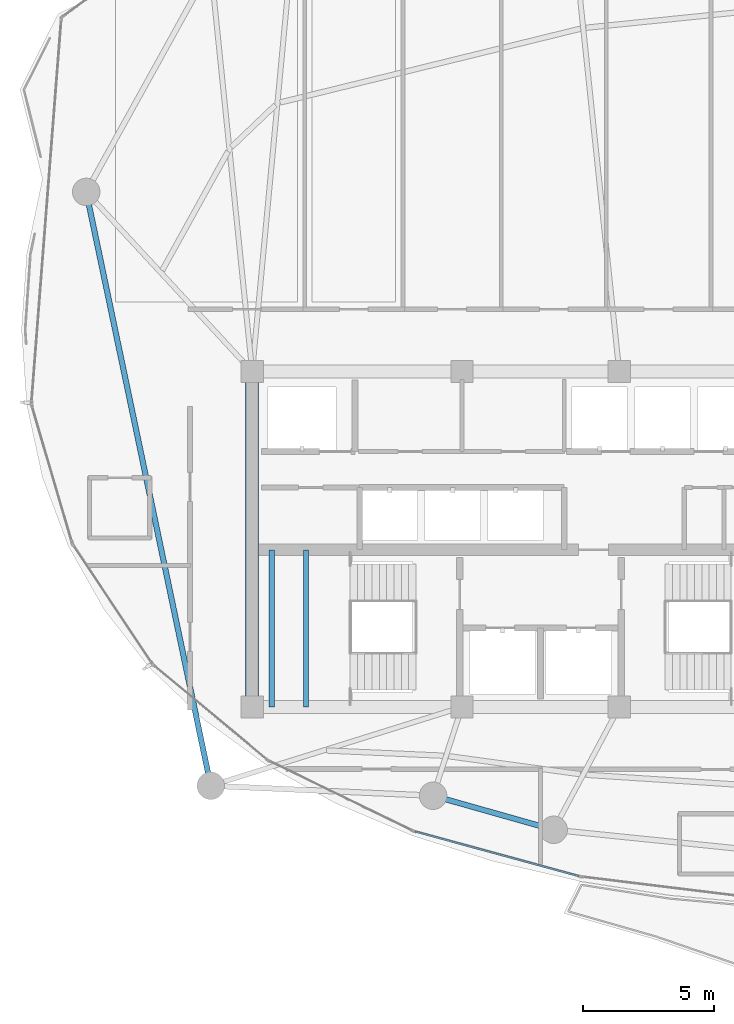
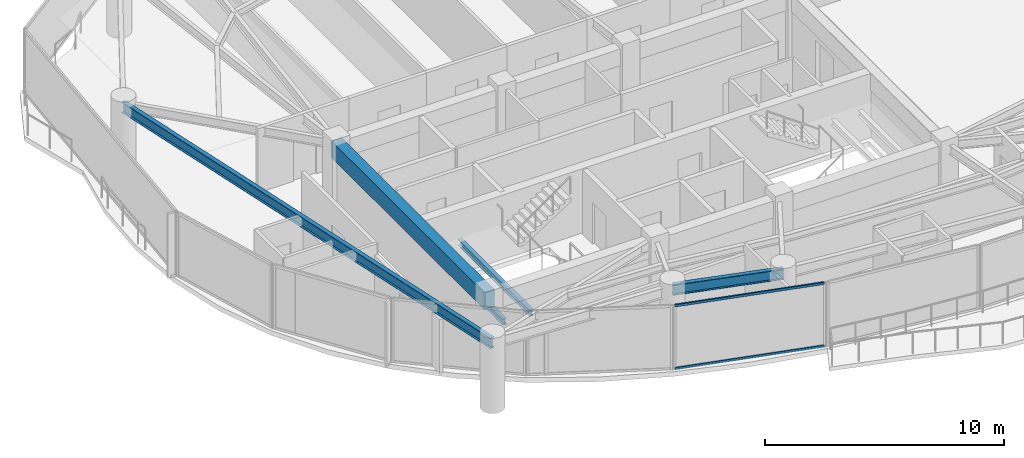
# One storey, part 4 of 31: 5 beams, 2 members, 1 element without a shape of its own.
"""IFC4 building model written with IfcOpenShell, lengths in metres."""

from ifc_helpers import new_model, si_unit, direction, frame, origin, origin_2d, place, context, subcontext, project, spatial, rectangle, hollow_rectangle, i_section, extrude, material, layer, layer_set, material_profile, profile_set, type_object, element, aggregate, save


model = new_model("IFC4")

# Units and contexts
model_context = context("Model", 3, precision=1e-05, world=origin(), true_north=direction((0.0, 1.0)))
body_context = subcontext(model_context, "Body", "Model", "MODEL_VIEW")
ifc_project = project(units=[si_unit("LENGTHUNIT", "METRE"), si_unit("AREAUNIT", "SQUARE_METRE"), si_unit("VOLUMEUNIT", "CUBIC_METRE"), si_unit("PLANEANGLEUNIT", "RADIAN"), si_unit("MASSUNIT", "GRAM", prefix="KILO")], contexts=[model_context])

# Site, building, storey
site_placement = place(None, origin())
site = spatial("IfcSite", under=ifc_project, at=site_placement, CompositionType="ELEMENT")
building_placement = place(site_placement, origin())
building = spatial("IfcBuilding", under=site, at=building_placement, Name="Kazevale Care Tower and Concert Hall", CompositionType="ELEMENT")
storey_placement = place(building_placement, frame((0.0, 0.0, 187.199951171875)))
storey = spatial("IfcBuildingStorey", under=building, at=storey_placement, Name="L49", CompositionType="ELEMENT", Elevation=187.199951171875)

# Curtain wall, members
ifc_material_1 = material(Name="Aluminium 6063-T6 and Low-E Glass", Category="aluminium")
ifc_layer = layer(ifc_material_1, 0.179931640625)
ifc_layer_set = layer_set([ifc_layer], Name="Aluminium 6063-T6 and Low-E Glass")
curtain_wall_type = type_object("IfcCurtainWallType", Name="Sheltered Concave Balcony Curtain Wall CW-5", PredefinedType="NOTDEFINED", material=ifc_layer_set)
curtain_wall_placement = place(storey_placement, origin())
curtain_wall = element("IfcCurtainWall", 1, at=curtain_wall_placement, inside=storey, type_object=curtain_wall_type, Name="cw:L49:f08", PredefinedType="NOTDEFINED")
ifc_material_2 = material(Name="Aluminium 6063-T6", Category="aluminium")
ifc_material_profile_1 = material_profile(ifc_material_2, hollow_rectangle(XDim=0.074951171875, YDim=0.1201171875, WallThickness=0.00390625, at=origin_2d()), Name="ALU75x120x4")
ifc_profile_set_1 = profile_set([ifc_material_profile_1], Name="Aluminium 6063-T6")
member_type = type_object("IfcMemberType", Name="CW-5 Transom ALU75x120x4", PredefinedType="USERDEFINED", material=ifc_profile_set_1)
member_1_placement = place(storey_placement, frame((34.458740234375, 17.15283203125, 0.03759765625), z_axis=(-0.964843890632, 0.262823641842, 0.0), x_axis=(-0.262823641842, -0.964843890632, 0.0)))
member_1 = element("IfcMember", 2, at=member_1_placement, type_object=member_type, Name="CW-5 transom 1.1", ObjectType="TRANSOM", PredefinedType="USERDEFINED", context=body_context, shape_type="SweptSolid", body=[
    extrude(hollow_rectangle(XDim=0.074951171875, YDim=0.1201171875, WallThickness=0.00390625, at=origin_2d()), origin(), (0.0, 0.0, 1.0), 6.469970703125),
])
member_2_placement = place(storey_placement, frame((34.458740234375, 17.15283203125, 3.242431640625), z_axis=(-0.964843890632, 0.262823641842, 0.0), x_axis=(-0.262823641842, -0.964843890632, 0.0)))
member_2 = element("IfcMember", 3, at=member_2_placement, type_object=member_type, Name="CW-5 transom 1.2", ObjectType="TRANSOM", PredefinedType="USERDEFINED", context=body_context, shape_type="SweptSolid", body=[
    extrude(hollow_rectangle(XDim=0.074951171875, YDim=0.1201171875, WallThickness=0.00390625, at=origin_2d()), origin(), (0.0, 0.0, 1.0), 6.469970703125),
])
aggregate(curtain_wall, [member_1, member_2])

# Beams
ifc_material_3 = material(Name="Concrete C60", Category="concrete")
ifc_material_profile_2 = material_profile(ifc_material_3, rectangle(XDim=0.5, YDim=0.85009765625, at=origin_2d()), Name="RC-B500x850")
ifc_profile_set_2 = profile_set([ifc_material_profile_2], Name="Concrete C60")
beam_type_1 = type_object("IfcBeamType", Name="Core Coupling Beam RC500x850", PredefinedType="LINTEL", material=ifc_profile_set_2)
beam_1_placement = place(storey_placement, frame((22.0, 36.39990234375, 2.85498046875), z_axis=(0.0, -1.0, 0.0), x_axis=(1.0, 0.0, 0.0)))
element("IfcBeam", 4, at=beam_1_placement, inside=storey, type_object=beam_type_1, Name="beam:L49:coretie:8", PredefinedType="LINTEL", context=body_context, shape_type="SweptSolid", body=[
    extrude(rectangle(XDim=0.5, YDim=0.85009765625, at=origin_2d()), origin(), (0.0, 0.0, 1.0), 12.7998046875),
])
ifc_material_4 = material(Name="Steel ASTM A572 Gr 50", Category="steel")
ifc_material_profile_3 = material_profile(ifc_material_4, i_section(OverallWidth=0.202880859375, OverallDepth=0.302978515625, WebThickness=0.007568359375, FlangeThickness=0.01318359375, at=origin_2d()), Name="W310x60")
ifc_profile_set_3 = profile_set([ifc_material_profile_3], Name="Steel ASTM A572 Gr 50")
beam_type_2 = type_object("IfcBeamType", Name="Stair & Balcony Trimmer W310x60", PredefinedType="BEAM", material=ifc_profile_set_3)
for number, where, z_axis, x_axis, name in (
    (5, (22.75, 23.60009765625, 1.448486328125), (0.0, 1.0, 0.0), (-1.0, 0.0, 0.0), "beam:L49:sttrim:ST1"),
    (6, (24.050048828125, 23.60009765625, 1.448486328125), (0.0, 1.0, 0.0), (-1.0, 0.0, 0.0), "beam:L49:sttrim:ST1b"),
):
    element("IfcBeam", number, at=place(storey_placement, frame(where, z_axis=z_axis, x_axis=x_axis)), inside=storey, type_object=beam_type_2, Name=name, PredefinedType="BEAM", context=body_context, shape_type="SweptSolid", body=[
        extrude(i_section(OverallWidth=0.202880859375, OverallDepth=0.302978515625, WebThickness=0.007568359375, FlangeThickness=0.01318359375, at=origin_2d()), origin(), (0.0, 0.0, 1.0), 6.0),
    ])
ifc_material_profile_4 = material_profile(ifc_material_4, i_section(OverallWidth=0.208984375, OverallDepth=0.532958984375, WebThickness=0.01025390625, FlangeThickness=0.015625, at=origin_2d()), Name="W530x92")
ifc_profile_set_4 = profile_set([ifc_material_profile_4], Name="Steel ASTM A572 Gr 50")
beam_type_3 = type_object("IfcBeamType", Name="Upper Ring Beam W530x92", PredefinedType="BEAM", material=ifc_profile_set_4)
beam_2_placement = place(storey_placement, frame((15.669921875, 43.25, 3.013427734375), z_axis=(0.205249071222, -0.978709772488, 0.0), x_axis=(0.978709772488, 0.205249071222, 0.0)))
element("IfcBeam", 7, at=beam_2_placement, inside=storey, type_object=beam_type_3, Name="beam:L49:ring:09", PredefinedType="BEAM", context=body_context, shape_type="SweptSolid", body=[
    extrude(i_section(OverallWidth=0.208984375, OverallDepth=0.532958984375, WebThickness=0.01025390625, FlangeThickness=0.015625, at=origin_2d()), origin(), (0.0, 0.0, 1.0), 23.142578125),
])
beam_3_placement = place(storey_placement, frame((28.89990234375, 20.219970703125, 3.013427734375), z_axis=(0.962308240836, -0.271961117846, 0.0), x_axis=(0.271961117846, 0.962308240836, 0.0)))
element("IfcBeam", 8, at=beam_3_placement, inside=storey, type_object=beam_type_3, Name="beam:L49:ring:11", PredefinedType="BEAM", context=body_context, shape_type="SweptSolid", body=[
    extrude(i_section(OverallWidth=0.208984375, OverallDepth=0.532958984375, WebThickness=0.01025390625, FlangeThickness=0.015625, at=origin_2d()), origin(), (0.0, 0.0, 1.0), 4.7802734375),
])

save(model, "model.ifc")
